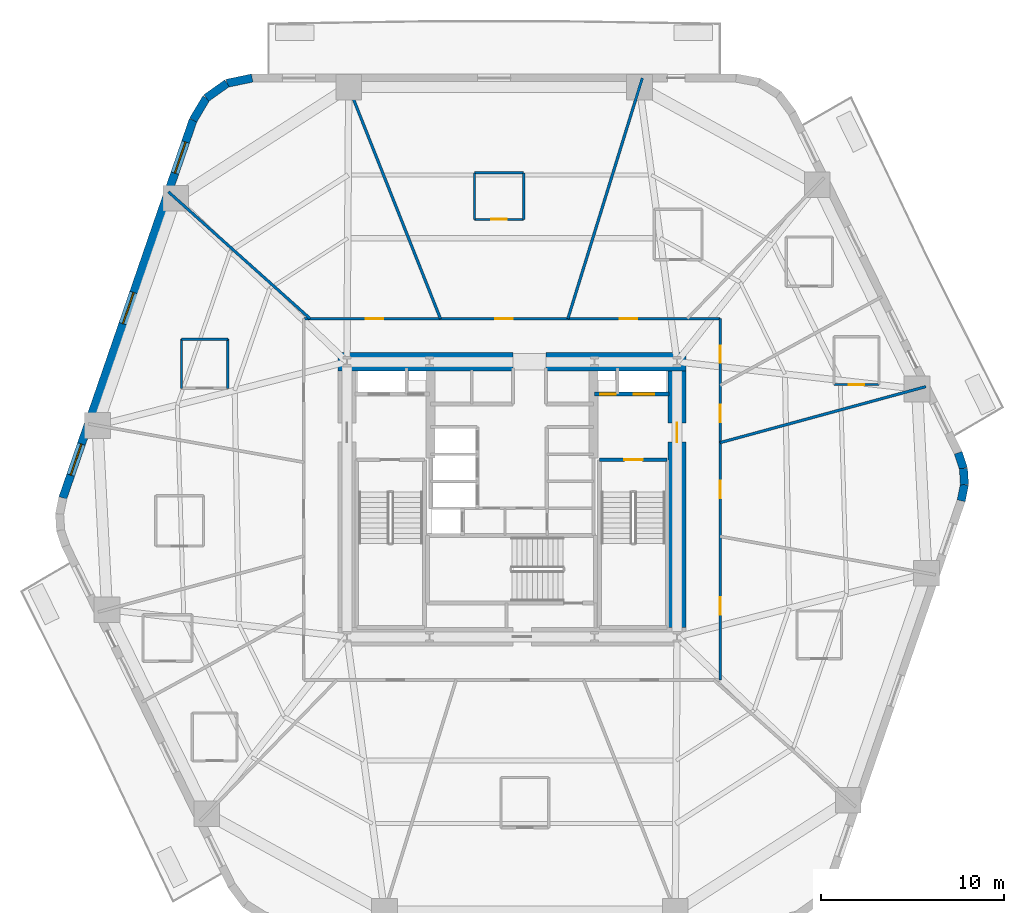
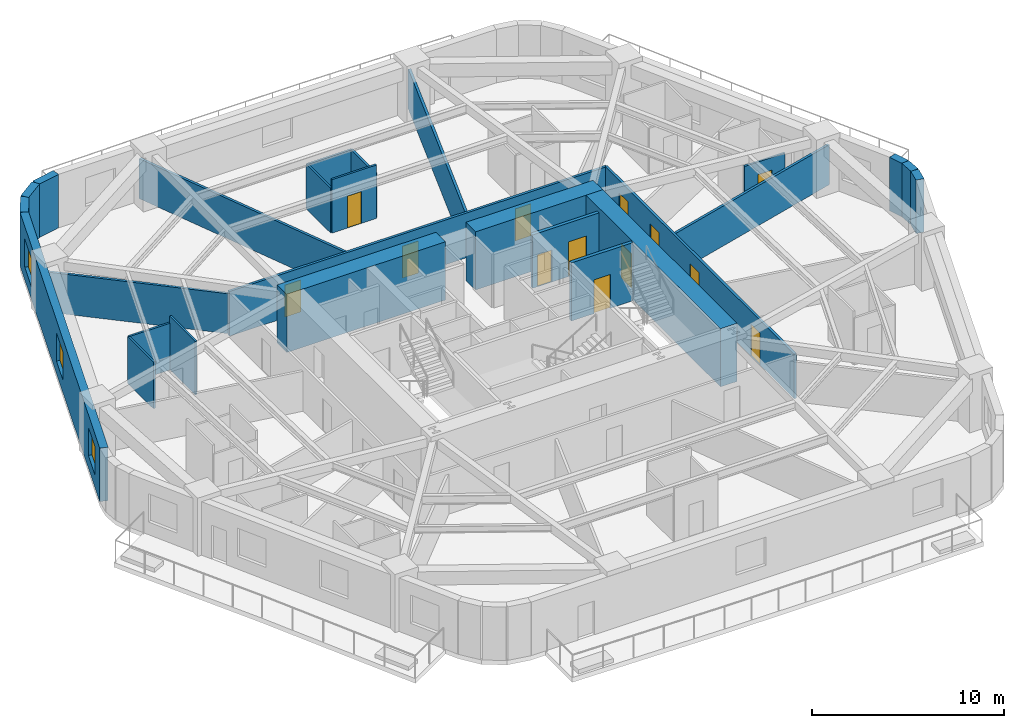
# One storey, part 5 of 10: 26 walls, 13 doors, 3 windows, 16 openings.
"""IFC4 building model written with IfcOpenShell, lengths in metres."""

from ifc_helpers import new_model, si_unit, direction, frame, frame_2d, origin, place, context, subcontext, project, spatial, rectangle, extrude, material, layer, layer_set, type_object, element, fill, save


model = new_model("IFC4")

# Units and contexts
model_context = context("Model", 3, precision=1e-05, world=origin(), true_north=direction((0.0, 1.0)))
body_context = subcontext(model_context, "Body", "Model", "MODEL_VIEW")
ifc_project = project(units=[si_unit("LENGTHUNIT", "METRE"), si_unit("AREAUNIT", "SQUARE_METRE"), si_unit("VOLUMEUNIT", "CUBIC_METRE"), si_unit("PLANEANGLEUNIT", "RADIAN"), si_unit("MASSUNIT", "GRAM", prefix="KILO")], contexts=[model_context])

# Site, building, storey
site_placement = place(None, origin())
site = spatial("IfcSite", under=ifc_project, at=site_placement, CompositionType="ELEMENT")
building_placement = place(site_placement, origin())
building = spatial("IfcBuilding", under=site, at=building_placement, Name="Kilnhurst Terrace Hotel", CompositionType="ELEMENT")
storey_placement = place(building_placement, frame((0.0, 0.0, 56.39990234375)))
storey = spatial("IfcBuildingStorey", under=building, at=storey_placement, Name="L12", CompositionType="ELEMENT", Elevation=56.39990234375)

# Walls
ifc_material_1 = material(Name="Precast concrete C40/50", Category="concrete")
ifc_layer_1 = layer(ifc_material_1, 0.449951171875, Name="Precast concrete C40/50")
ifc_layer_set_1 = layer_set([ifc_layer_1], Name="Precast concrete C40/50")
wall_type_1 = type_object("IfcWallType", Name="WL-BRK-450", PredefinedType="SOLIDWALL", material=ifc_layer_set_1)
wall_1_placement = place(storey_placement, frame((24.49560546875, -0.07666015625, 0.0), z_axis=(0.0, 0.0, 1.0), x_axis=(0.199570594521, 0.979883451132, 0.0)))
element("IfcWall", 1, at=wall_1_placement, inside=storey, type_object=wall_type_1, Name="L12 Rounded Corner Brick Wall C3.1", PredefinedType="SOLIDWALL", context=body_context, shape_type="SweptSolid", body=[
    extrude(rectangle(XDim=0.896728515625, YDim=0.449951171875, at=frame_2d((0.4482421875, 0.0))), origin(), (0.0, 0.0, 1.0), 3.400146484375),
])
wall_2_placement = place(storey_placement, frame((24.674560546875, 0.802001953125, 0.0), z_axis=(0.0, 0.0, 1.0), x_axis=(-0.061188874166, 0.998126205286, 0.0)))
element("IfcWall", 2, at=wall_2_placement, inside=storey, type_object=wall_type_1, Name="L12 Rounded Corner Brick Wall C3.2", PredefinedType="SOLIDWALL", context=body_context, shape_type="SweptSolid", body=[
    extrude(rectangle(XDim=0.8818359375, YDim=0.449951171875, at=frame_2d((0.44091796875, 0.0))), origin(), (0.0, 0.0, 1.0), 3.400146484375),
])
wall_3_placement = place(storey_placement, frame((24.62060546875, 1.68212890625, 0.0), z_axis=(0.0, 0.0, 1.0), x_axis=(-0.317697451681, 0.948192137278, 0.0)))
element("IfcWall", 3, at=wall_3_placement, inside=storey, type_object=wall_type_1, Name="L12 Rounded Corner Brick Wall C3.3", PredefinedType="SOLIDWALL", context=body_context, shape_type="SweptSolid", body=[
    extrude(rectangle(XDim=0.896728515625, YDim=0.449951171875, at=frame_2d((0.4482421875, 0.0))), origin(), (0.0, 0.0, 1.0), 3.400146484375),
])
wall_4_placement = place(storey_placement, frame((-14.168212890625, 22.97509765625, 0.0), z_axis=(0.0, 0.0, 1.0), x_axis=(-0.978770371074, -0.204959900243, 0.0)))
element("IfcWall", 4, at=wall_4_placement, inside=storey, type_object=wall_type_1, Name="L12 Rounded Corner Brick Wall C5.1", PredefinedType="SOLIDWALL", context=body_context, shape_type="SweptSolid", body=[
    extrude(rectangle(XDim=1.405517578125, YDim=0.449951171875, at=frame_2d((0.70263671875, 0.0))), origin(), (0.0, 0.0, 1.0), 3.400146484375),
])
wall_5_placement = place(storey_placement, frame((-15.5439453125, 22.68701171875, 0.0), z_axis=(0.0, 0.0, 1.0), x_axis=(-0.814210854316, -0.580569276412, 0.0)))
element("IfcWall", 5, at=wall_5_placement, inside=storey, type_object=wall_type_1, Name="L12 Rounded Corner Brick Wall C5.2", PredefinedType="SOLIDWALL", context=body_context, shape_type="SweptSolid", body=[
    extrude(rectangle(XDim=1.38134765625, YDim=0.449951171875, at=frame_2d((0.690673828125, 0.0))), origin(), (0.0, 0.0, 1.0), 3.400146484375),
])
wall_6_placement = place(storey_placement, frame((-16.668701171875, 21.885009765625, 0.0), z_axis=(0.0, 0.0, 1.0), x_axis=(-0.512936712947, -0.858426425799, 0.0)))
element("IfcWall", 6, at=wall_6_placement, inside=storey, type_object=wall_type_1, Name="L12 Rounded Corner Brick Wall C5.3", PredefinedType="SOLIDWALL", context=body_context, shape_type="SweptSolid", body=[
    extrude(rectangle(XDim=1.405517578125, YDim=0.449951171875, at=frame_2d((0.70263671875, 0.0))), origin(), (0.0, 0.0, 1.0), 3.400146484375),
])

# Wall, openings, windows
wall_7_placement = place(storey_placement, frame((-17.3896484375, 20.678466796875, 0.0), z_axis=(0.0, 0.0, 1.0), x_axis=(-0.326068018294, -0.945346310854, 0.0)))
wall_7 = element("IfcWall", 7, at=wall_7_placement, inside=storey, type_object=wall_type_1, Name="L12 Exterior Brick Facade Wall F5", PredefinedType="SOLIDWALL", context=body_context, shape_type="SweptSolid", body=[
    extrude(rectangle(XDim=21.79296875, YDim=0.449951171875, at=frame_2d((10.896484375, 0.0))), origin(), (0.0, 0.0, 1.0), 3.400146484375),
])
opening_1_placement = place(wall_7_placement, frame((1.260009765625, 0.0, 0.800048828125)))
opening_1 = element("IfcOpeningElement", 8, at=opening_1_placement, cuts=wall_7, Name="Opening W-01", PredefinedType="OPENING", context=body_context, shape_type="SweptSolid", body=[
    extrude(rectangle(XDim=1.800048828125, YDim=1.800048828125, at=frame_2d((0.89990234375, 0.89990234375))), frame((0.0, 0.23486328125, 0.0), z_axis=(0.0, -1.0, 0.0), x_axis=(1.0, 0.0, 0.0)), (0.0, 0.0, 1.0), 0.469970703125),
])
opening_2_placement = place(wall_7_placement, frame((9.943115234375, 0.0, 0.800048828125)))
opening_2 = element("IfcOpeningElement", 9, at=opening_2_placement, cuts=wall_7, Name="Opening W-01", PredefinedType="OPENING", context=body_context, shape_type="SweptSolid", body=[
    extrude(rectangle(XDim=1.800048828125, YDim=1.800048828125, at=frame_2d((0.89990234375, 0.89990234375))), frame((0.0, 0.23486328125, 0.0), z_axis=(0.0, -1.0, 0.0), x_axis=(1.0, 0.0, 0.0)), (0.0, 0.0, 1.0), 0.469970703125),
])
opening_3_placement = place(wall_7_placement, frame((18.679931640625, 0.0, 0.800048828125)))
opening_3 = element("IfcOpeningElement", 10, at=opening_3_placement, cuts=wall_7, Name="Opening W-01", PredefinedType="OPENING", context=body_context, shape_type="SweptSolid", body=[
    extrude(rectangle(XDim=1.800048828125, YDim=1.800048828125, at=frame_2d((0.89990234375, 0.89990234375))), frame((0.0, 0.23486328125, 0.0), z_axis=(0.0, -1.0, 0.0), x_axis=(1.0, 0.0, 0.0)), (0.0, 0.0, 1.0), 0.469970703125),
])
ifc_material_2 = material(Name="Thermally Broken Bronze Aluminium Alloy 6063-T6 and Low-E Glass", Category="aluminium")
window_type = type_object("IfcWindowType", Name="WIN-1800X1800", PartitioningType="SINGLE_PANEL", PredefinedType="WINDOW", material=ifc_material_2)
window_1_placement = place(opening_1_placement, origin())
window_1 = element("IfcWindow", 11, at=window_1_placement, inside=storey, type_object=window_type, Name="L12 Deep-Set Masonry Window F5.1", OverallHeight=1.800048828125, OverallWidth=1.800048828125, PartitioningType="SINGLE_PANEL", PredefinedType="WINDOW", context=body_context, shape_type="SweptSolid", body=[
    extrude(rectangle(XDim=1.800048828125, YDim=1.800048828125, at=frame_2d((0.89990234375, 0.89990234375))), frame((0.0, 0.030029296875, 0.0), z_axis=(0.0, -1.0, 0.0), x_axis=(1.0, 0.0, 0.0)), (0.0, 0.0, 1.0), 0.06005859375),
])
fill(opening_1, window_1)
window_2_placement = place(opening_2_placement, origin())
window_2 = element("IfcWindow", 12, at=window_2_placement, inside=storey, type_object=window_type, Name="L12 Deep-Set Masonry Window F5.2", OverallHeight=1.800048828125, OverallWidth=1.800048828125, PartitioningType="SINGLE_PANEL", PredefinedType="WINDOW", context=body_context, shape_type="SweptSolid", body=[
    extrude(rectangle(XDim=1.800048828125, YDim=1.800048828125, at=frame_2d((0.89990234375, 0.89990234375))), frame((0.0, 0.030029296875, 0.0), z_axis=(0.0, -1.0, 0.0), x_axis=(1.0, 0.0, 0.0)), (0.0, 0.0, 1.0), 0.06005859375),
])
fill(opening_2, window_2)
window_3_placement = place(opening_3_placement, origin())
window_3 = element("IfcWindow", 13, at=window_3_placement, inside=storey, type_object=window_type, Name="L12 Deep-Set Masonry Window F5.3", OverallHeight=1.800048828125, OverallWidth=1.800048828125, PartitioningType="SINGLE_PANEL", PredefinedType="WINDOW", context=body_context, shape_type="SweptSolid", body=[
    extrude(rectangle(XDim=1.800048828125, YDim=1.800048828125, at=frame_2d((0.89990234375, 0.89990234375))), frame((0.0, 0.030029296875, 0.0), z_axis=(0.0, -1.0, 0.0), x_axis=(1.0, 0.0, 0.0)), (0.0, 0.0, 1.0), 0.06005859375),
])
fill(opening_3, window_3)

# Wall, openings, doors
ifc_material_3 = material(Name="Acoustic Double-Gypsum Corridor Partition Assembly")
ifc_layer_2 = layer(ifc_material_3, 0.14990234375, Name="Acoustic Double-Gypsum Corridor Partition Assembly")
ifc_layer_set_2 = layer_set([ifc_layer_2], Name="Acoustic Double-Gypsum Corridor Partition Assembly")
wall_type_2 = type_object("IfcWallType", Name="WL-COR-150", PredefinedType="PARTITIONING", material=ifc_layer_set_2)
wall_8_placement = place(storey_placement, frame((-11.35009765625, 9.85009765625, 0.0), z_axis=(0.0, 0.0, 1.0), x_axis=(1.0, 0.0, 0.0)))
wall_8 = element("IfcWall", 14, at=wall_8_placement, inside=storey, type_object=wall_type_2, Name="L12 Interior Wall WL-L12-COR-02", PredefinedType="PARTITIONING", context=body_context, shape_type="SweptSolid", body=[
    extrude(rectangle(XDim=22.7001953125, YDim=0.14990234375, at=frame_2d((11.35009765625, 0.0))), origin(), (0.0, 0.0, 1.0), 2.840087890625),
])
opening_4_placement = place(wall_8_placement, frame((17.22509765625, 0.0, 0.0)))
opening_4 = element("IfcOpeningElement", 15, at=opening_4_placement, cuts=wall_8, Name="Opening D-60B", PredefinedType="OPENING", context=body_context, shape_type="SweptSolid", body=[
    extrude(rectangle(XDim=0.949951171875, YDim=2.030029296875, at=frame_2d((0.47509765625, 1.01513671875))), frame((0.0, 0.0849609375, 0.0), z_axis=(0.0, -1.0, 0.0), x_axis=(1.0, 0.0, 0.0)), (0.0, 0.0, 1.0), 0.169921875),
])
opening_5_placement = place(wall_8_placement, frame((10.444091796875, 0.0, 0.0)))
opening_5 = element("IfcOpeningElement", 16, at=opening_5_placement, cuts=wall_8, Name="Opening D-60B", PredefinedType="OPENING", context=body_context, shape_type="SweptSolid", body=[
    extrude(rectangle(XDim=0.949951171875, YDim=2.030029296875, at=frame_2d((0.47509765625, 1.01513671875))), frame((0.0, 0.0849609375, 0.0), z_axis=(0.0, -1.0, 0.0), x_axis=(1.0, 0.0, 0.0)), (0.0, 0.0, 1.0), 0.169921875),
])
opening_6_placement = place(wall_8_placement, frame((3.368896484375, 0.0, 0.0)))
opening_6 = element("IfcOpeningElement", 17, at=opening_6_placement, cuts=wall_8, Name="Opening D-60B", PredefinedType="OPENING", context=body_context, shape_type="SweptSolid", body=[
    extrude(rectangle(XDim=0.949951171875, YDim=2.030029296875, at=frame_2d((0.47509765625, 1.01513671875))), frame((0.0, 0.0849609375, 0.0), z_axis=(0.0, -1.0, 0.0), x_axis=(1.0, 0.0, 0.0)), (0.0, 0.0, 1.0), 0.169921875),
])
ifc_material_4 = material(Name="Acoustic Walnut Veneer Solid-Core Fire Door")
door_type_1 = type_object("IfcDoorType", Name="DR-FD60-950", OperationType="NOTDEFINED", PredefinedType="DOOR", material=ifc_material_4)
door_1_placement = place(opening_4_placement, origin())
door_1 = element("IfcDoor", 18, at=door_1_placement, inside=storey, type_object=door_type_1, Name="L12 Executive Suite Entry Door 3", OperationType="SINGLE_SWING_LEFT", OverallHeight=2.030029296875, OverallWidth=0.949951171875, PredefinedType="DOOR", context=body_context, shape_type="SweptSolid", body=[
    extrude(rectangle(XDim=0.949951171875, YDim=2.030029296875, at=frame_2d((0.47509765625, 1.01513671875))), frame((0.0, 0.02490234375, 0.0), z_axis=(0.0, -1.0, 0.0), x_axis=(1.0, 0.0, 0.0)), (0.0, 0.0, 1.0), 0.050048828125),
])
fill(opening_4, door_1)
door_2_placement = place(opening_5_placement, origin())
door_2 = element("IfcDoor", 19, at=door_2_placement, inside=storey, type_object=door_type_1, Name="L12 Executive Suite Entry Door 4", OperationType="SINGLE_SWING_RIGHT", OverallHeight=2.030029296875, OverallWidth=0.949951171875, PredefinedType="DOOR", context=body_context, shape_type="SweptSolid", body=[
    extrude(rectangle(XDim=0.949951171875, YDim=2.030029296875, at=frame_2d((0.47509765625, 1.01513671875))), frame((0.0, 0.02490234375, 0.0), z_axis=(0.0, -1.0, 0.0), x_axis=(1.0, 0.0, 0.0)), (0.0, 0.0, 1.0), 0.050048828125),
])
fill(opening_5, door_2)
door_3_placement = place(opening_6_placement, origin())
door_3 = element("IfcDoor", 20, at=door_3_placement, inside=storey, type_object=door_type_1, Name="L12 Fitness Studio Door", OperationType="SINGLE_SWING_LEFT", OverallHeight=2.030029296875, OverallWidth=0.949951171875, PredefinedType="DOOR", context=body_context, shape_type="SweptSolid", body=[
    extrude(rectangle(XDim=0.949951171875, YDim=2.030029296875, at=frame_2d((0.47509765625, 1.01513671875))), frame((0.0, 0.02490234375, 0.0), z_axis=(0.0, -1.0, 0.0), x_axis=(1.0, 0.0, 0.0)), (0.0, 0.0, 1.0), 0.050048828125),
])
fill(opening_6, door_3)

wall_9_placement = place(storey_placement, frame((11.35009765625, 9.85009765625, 0.0), z_axis=(0.0, 0.0, 1.0), x_axis=(0.0, -1.0, 0.0)))
wall_9 = element("IfcWall", 21, at=wall_9_placement, inside=storey, type_object=wall_type_2, Name="L12 Interior Wall WL-L12-COR-03", PredefinedType="PARTITIONING", context=body_context, shape_type="SweptSolid", body=[
    extrude(rectangle(XDim=19.7001953125, YDim=0.14990234375, at=frame_2d((9.85009765625, 0.0))), origin(), (0.0, 0.0, 1.0), 2.840087890625),
])
opening_7_placement = place(wall_9_placement, frame((4.7041015625, 0.0, 0.0)))
opening_7 = element("IfcOpeningElement", 22, at=opening_7_placement, cuts=wall_9, Name="Opening D-60B", PredefinedType="OPENING", context=body_context, shape_type="SweptSolid", body=[
    extrude(rectangle(XDim=0.949951171875, YDim=2.030029296875, at=frame_2d((0.47509765625, 1.01513671875))), frame((0.0, 0.0849609375, 0.0), z_axis=(0.0, -1.0, 0.0), x_axis=(1.0, 0.0, 0.0)), (0.0, 0.0, 1.0), 0.169921875),
])
opening_8_placement = place(wall_9_placement, frame((1.4619140625, 0.0, 0.0)))
opening_8 = element("IfcOpeningElement", 23, at=opening_8_placement, cuts=wall_9, Name="Opening D-60B", PredefinedType="OPENING", context=body_context, shape_type="SweptSolid", body=[
    extrude(rectangle(XDim=0.949951171875, YDim=2.030029296875, at=frame_2d((0.47509765625, 1.01513671875))), frame((0.0, 0.0849609375, 0.0), z_axis=(0.0, -1.0, 0.0), x_axis=(1.0, 0.0, 0.0)), (0.0, 0.0, 1.0), 0.169921875),
])
opening_9_placement = place(wall_9_placement, frame((15.19091796875, 0.0, 0.0)))
opening_9 = element("IfcOpeningElement", 24, at=opening_9_placement, cuts=wall_9, Name="Opening D-60B", PredefinedType="OPENING", context=body_context, shape_type="SweptSolid", body=[
    extrude(rectangle(XDim=0.949951171875, YDim=2.030029296875, at=frame_2d((0.47509765625, 1.01513671875))), frame((0.0, 0.0849609375, 0.0), z_axis=(0.0, -1.0, 0.0), x_axis=(1.0, 0.0, 0.0)), (0.0, 0.0, 1.0), 0.169921875),
])
opening_10_placement = place(wall_9_placement, frame((8.837890625, 0.0, 0.0)))
opening_10 = element("IfcOpeningElement", 25, at=opening_10_placement, cuts=wall_9, Name="Opening D-60B", PredefinedType="OPENING", context=body_context, shape_type="SweptSolid", body=[
    extrude(rectangle(XDim=0.949951171875, YDim=2.030029296875, at=frame_2d((0.47509765625, 1.01513671875))), frame((0.0, 0.0849609375, 0.0), z_axis=(0.0, -1.0, 0.0), x_axis=(1.0, 0.0, 0.0)), (0.0, 0.0, 1.0), 0.169921875),
])
door_4_placement = place(opening_7_placement, origin())
door_4 = element("IfcDoor", 26, at=door_4_placement, inside=storey, type_object=door_type_1, Name="L12 Guest Room Entry Door 1", OperationType="SINGLE_SWING_LEFT", OverallHeight=2.030029296875, OverallWidth=0.949951171875, PredefinedType="DOOR", context=body_context, shape_type="SweptSolid", body=[
    extrude(rectangle(XDim=0.949951171875, YDim=2.030029296875, at=frame_2d((0.47509765625, 1.01513671875))), frame((0.0, 0.02490234375, 0.0), z_axis=(0.0, -1.0, 0.0), x_axis=(1.0, 0.0, 0.0)), (0.0, 0.0, 1.0), 0.050048828125),
])
fill(opening_7, door_4)
door_5_placement = place(opening_8_placement, origin())
door_5 = element("IfcDoor", 27, at=door_5_placement, inside=storey, type_object=door_type_1, Name="L12 Guest Room Entry Door 2", OperationType="SINGLE_SWING_RIGHT", OverallHeight=2.030029296875, OverallWidth=0.949951171875, PredefinedType="DOOR", context=body_context, shape_type="SweptSolid", body=[
    extrude(rectangle(XDim=0.949951171875, YDim=2.030029296875, at=frame_2d((0.47509765625, 1.01513671875))), frame((0.0, 0.02490234375, 0.0), z_axis=(0.0, -1.0, 0.0), x_axis=(1.0, 0.0, 0.0)), (0.0, 0.0, 1.0), 0.050048828125),
])
fill(opening_8, door_5)
door_6_placement = place(opening_9_placement, origin())
door_6 = element("IfcDoor", 28, at=door_6_placement, inside=storey, type_object=door_type_1, Name="L12 Executive Suite Entry Door 13", OperationType="SINGLE_SWING_LEFT", OverallHeight=2.030029296875, OverallWidth=0.949951171875, PredefinedType="DOOR", context=body_context, shape_type="SweptSolid", body=[
    extrude(rectangle(XDim=0.949951171875, YDim=2.030029296875, at=frame_2d((0.47509765625, 1.01513671875))), frame((0.0, 0.02490234375, 0.0), z_axis=(0.0, -1.0, 0.0), x_axis=(1.0, 0.0, 0.0)), (0.0, 0.0, 1.0), 0.050048828125),
])
fill(opening_9, door_6)
door_7_placement = place(opening_10_placement, origin())
door_7 = element("IfcDoor", 29, at=door_7_placement, inside=storey, type_object=door_type_1, Name="L12 Club Tea Lounge Door", OperationType="SINGLE_SWING_RIGHT", OverallHeight=2.030029296875, OverallWidth=0.949951171875, PredefinedType="DOOR", context=body_context, shape_type="SweptSolid", body=[
    extrude(rectangle(XDim=0.949951171875, YDim=2.030029296875, at=frame_2d((0.47509765625, 1.01513671875))), frame((0.0, 0.02490234375, 0.0), z_axis=(0.0, -1.0, 0.0), x_axis=(1.0, 0.0, 0.0)), (0.0, 0.0, 1.0), 0.050048828125),
])
fill(opening_10, door_7)

# Walls
ifc_material_5 = material(Name="Concrete C80/95", Category="concrete")
ifc_layer_3 = layer(ifc_material_5, 1.0, Name="Concrete C80/95")
ifc_layer_set_3 = layer_set([ifc_layer_3], Name="Concrete C80/95")
wall_type_3 = type_object("IfcWallType", Name="WL-CORE-1000", PredefinedType="SHEAR", material=ifc_layer_set_3)
wall_10_placement = place(storey_placement, frame((-9.5, 7.5, 0.0), z_axis=(0.0, 0.0, 1.0), x_axis=(1.0, 0.0, 0.0)))
element("IfcWall", 30, at=wall_10_placement, inside=storey, type_object=wall_type_3, Name="L12 Core North West Shear Wall", PredefinedType="SHEAR", context=body_context, shape_type="SweptSolid", body=[
    extrude(rectangle(XDim=9.550048828125, YDim=1.0, at=frame_2d((4.77490234375, 0.0))), origin(), (0.0, 0.0, 1.0), 3.7001953125),
])
wall_11_placement = place(storey_placement, frame((1.85009765625, 7.5, 0.0), z_axis=(0.0, 0.0, 1.0), x_axis=(1.0, 0.0, 0.0)))
element("IfcWall", 31, at=wall_11_placement, inside=storey, type_object=wall_type_3, Name="L12 Core North East Shear Wall", PredefinedType="SHEAR", context=body_context, shape_type="SweptSolid", body=[
    extrude(rectangle(XDim=7.64990234375, YDim=1.0, at=frame_2d((3.824951171875, 0.0))), origin(), (0.0, 0.0, 1.0), 3.7001953125),
])

# Wall, opening, door
wall_12_placement = place(storey_placement, frame((9.0, -7.0, 0.0), z_axis=(0.0, 0.0, 1.0), x_axis=(0.0, 1.0, 0.0)))
wall_12 = element("IfcWall", 32, at=wall_12_placement, inside=storey, type_object=wall_type_3, Name="L12 Core East Shear Wall", PredefinedType="SHEAR", context=body_context, shape_type="SweptSolid", body=[
    extrude(rectangle(XDim=14.0, YDim=1.0, at=frame_2d((7.0, 0.0))), origin(), (0.0, 0.0, 1.0), 3.7001953125),
])
opening_11_placement = place(wall_12_placement, frame((10.125, 0.0, 0.0)))
opening_11 = element("IfcOpeningElement", 33, at=opening_11_placement, cuts=wall_12, Name="Opening D-90A", PredefinedType="OPENING", context=body_context, shape_type="SweptSolid", body=[
    extrude(rectangle(XDim=1.050048828125, YDim=2.14990234375, at=frame_2d((0.52490234375, 1.074951171875))), frame((0.0, 0.510009765625, 0.0), z_axis=(0.0, -1.0, 0.0), x_axis=(1.0, 0.0, 0.0)), (0.0, 0.0, 1.0), 1.02001953125),
])
ifc_material_6 = material(Name="Painted Hollow Metal Steel ASTM A36 Fire Door", Category="steel")
door_type_2 = type_object("IfcDoorType", Name="DR-FD90-1050", OperationType="NOTDEFINED", PredefinedType="DOOR", material=ifc_material_6)
door_8_placement = place(opening_11_placement, origin())
door_8 = element("IfcDoor", 34, at=door_8_placement, inside=storey, type_object=door_type_2, Name="L12 East Firefighting Lobby Door", OperationType="SINGLE_SWING_LEFT", OverallHeight=2.14990234375, OverallWidth=1.050048828125, PredefinedType="DOOR", context=body_context, shape_type="SweptSolid", body=[
    extrude(rectangle(XDim=1.050048828125, YDim=2.14990234375, at=frame_2d((0.52490234375, 1.074951171875))), frame((0.0, 0.02490234375, 0.0), z_axis=(0.0, -1.0, 0.0), x_axis=(1.0, 0.0, 0.0)), (0.0, 0.0, 1.0), 0.050048828125),
])
fill(opening_11, door_8)

# Walls
ifc_material_7 = material(Name="STC-58 Acoustic Twin-Frame Guestroom Demising Partition")
ifc_layer_4 = layer(ifc_material_7, 0.14990234375, Name="STC-58 Acoustic Twin-Frame Guestroom Demising Partition")
ifc_layer_set_4 = layer_set([ifc_layer_4], Name="STC-58 Acoustic Twin-Frame Guestroom Demising Partition")
wall_type_4 = type_object("IfcWallType", Name="WL-DEM-150", PredefinedType="PARTITIONING", material=ifc_layer_set_4)
wall_13_placement = place(storey_placement, frame((11.35009765625, 3.0908203125, 0.0), z_axis=(0.0, 0.0, 1.0), x_axis=(0.964859685283, 0.262765651704, 0.0)))
element("IfcWall", 35, at=wall_13_placement, inside=storey, type_object=wall_type_4, Name="L12 Interior Wall WL-L12-DEM-COL01-01-1", PredefinedType="PARTITIONING", context=body_context, shape_type="SweptSolid", body=[
    extrude(rectangle(XDim=11.62890625, YDim=0.14990234375, at=frame_2d((5.814453125, 0.0))), origin(), (0.0, 0.0, 1.0), 2.5400390625),
])
wall_14_placement = place(storey_placement, frame((3.047607421875, 9.85009765625, 0.0), z_axis=(0.0, 0.0, 1.0), x_axis=(0.295553992761, 0.955326037206, 0.0)))
element("IfcWall", 36, at=wall_14_placement, inside=storey, type_object=wall_type_4, Name="L12 Interior Wall WL-L12-DEM-COL03-04-1", PredefinedType="PARTITIONING", context=body_context, shape_type="SweptSolid", body=[
    extrude(rectangle(XDim=13.73876953125, YDim=0.14990234375, at=frame_2d((6.869384765625, 0.0))), origin(), (0.0, 0.0, 1.0), 2.5400390625),
])
wall_15_placement = place(storey_placement, frame((-3.90185546875, 9.85009765625, 0.0), z_axis=(0.0, 0.0, 1.0), x_axis=(-0.36828765711, 0.929711891728, 0.0)))
element("IfcWall", 37, at=wall_15_placement, inside=storey, type_object=wall_type_4, Name="L12 Interior Wall WL-L12-DEM-COL04-05-1", PredefinedType="PARTITIONING", context=body_context, shape_type="SweptSolid", body=[
    extrude(rectangle(XDim=14.1171875, YDim=0.14990234375, at=frame_2d((7.05859375, 0.0))), origin(), (0.0, 0.0, 1.0), 2.5400390625),
])
wall_16_placement = place(storey_placement, frame((-11.006591796875, 9.85009765625, 0.0), z_axis=(0.0, 0.0, 1.0), x_axis=(-0.745177305978, 0.666866390407, 0.0)))
element("IfcWall", 38, at=wall_16_placement, inside=storey, type_object=wall_type_4, Name="L12 Interior Wall WL-L12-DEM-COL05-06-1", PredefinedType="PARTITIONING", context=body_context, shape_type="SweptSolid", body=[
    extrude(rectangle(XDim=10.375244140625, YDim=0.14990234375, at=frame_2d((5.1875, 0.0))), origin(), (0.0, 0.0, 1.0), 2.5400390625),
])

# Wall, opening, door
ifc_material_8 = material(Name="120 mm Moisture-Resistant Tile-Backed Bathroom Partition")
ifc_layer_5 = layer(ifc_material_8, 0.1201171875, Name="120 mm Moisture-Resistant Tile-Backed Bathroom Partition")
ifc_layer_set_5 = layer_set([ifc_layer_5], Name="120 mm Moisture-Resistant Tile-Backed Bathroom Partition")
wall_type_5 = type_object("IfcWallType", Name="WL-PART-120", PredefinedType="PARTITIONING", material=ifc_layer_set_5)
wall_17_placement = place(storey_placement, frame((17.56689453125, 6.258056640625, 0.0), z_axis=(0.0, 0.0, 1.0), x_axis=(1.0, 0.0, 0.0)))
wall_17 = element("IfcWall", 39, at=wall_17_placement, inside=storey, type_object=wall_type_5, Name="L12 Interior Wall WL-L12-BTH-01-1", PredefinedType="PARTITIONING", context=body_context, shape_type="SweptSolid", body=[
    extrude(rectangle(XDim=2.440185546875, YDim=0.1201171875, at=frame_2d((1.22021484375, 0.0))), origin(), (0.0, 0.0, 1.0), 2.840087890625),
])
opening_12_placement = place(wall_17_placement, frame((0.794921875, 0.0, 0.0)))
opening_12 = element("IfcOpeningElement", 40, at=opening_12_placement, cuts=wall_17, Name="Opening D-08A", PredefinedType="OPENING", context=body_context, shape_type="SweptSolid", body=[
    extrude(rectangle(XDim=0.85009765625, YDim=2.030029296875, at=frame_2d((0.425048828125, 1.01513671875))), frame((0.0, 0.070068359375, 0.0), z_axis=(0.0, -1.0, 0.0), x_axis=(1.0, 0.0, 0.0)), (0.0, 0.0, 1.0), 0.14013671875),
])
ifc_material_9 = material(Name="Moisture-Resistant Lacquered En-suite Bathroom Door")
door_type_3 = type_object("IfcDoorType", Name="DR-INT-850", OperationType="NOTDEFINED", PredefinedType="DOOR", material=ifc_material_9)
door_9_placement = place(opening_12_placement, origin())
door_9 = element("IfcDoor", 41, at=door_9_placement, inside=storey, type_object=door_type_3, Name="L12 En-suite Bathroom Door 1", OperationType="SINGLE_SWING_RIGHT", OverallHeight=2.030029296875, OverallWidth=0.85009765625, PredefinedType="DOOR", context=body_context, shape_type="SweptSolid", body=[
    extrude(rectangle(XDim=0.85009765625, YDim=2.030029296875, at=frame_2d((0.425048828125, 1.01513671875))), frame((0.0, 0.02490234375, 0.0), z_axis=(0.0, -1.0, 0.0), x_axis=(1.0, 0.0, 0.0)), (0.0, 0.0, 1.0), 0.050048828125),
])
fill(opening_12, door_9)

wall_18_placement = place(storey_placement, frame((-2.0419921875, 15.26708984375, 0.0), z_axis=(0.0, 0.0, 1.0), x_axis=(1.0, 0.0, 0.0)))
wall_18 = element("IfcWall", 42, at=wall_18_placement, inside=storey, type_object=wall_type_5, Name="L12 Interior Wall WL-L12-BTH-04-1", PredefinedType="PARTITIONING", context=body_context, shape_type="SweptSolid", body=[
    extrude(rectangle(XDim=2.679931640625, YDim=0.1201171875, at=frame_2d((1.33984375, 0.0))), origin(), (0.0, 0.0, 1.0), 3.400146484375),
])
opening_13_placement = place(wall_18_placement, frame((0.9150390625, 0.0, 0.0)))
opening_13 = element("IfcOpeningElement", 43, at=opening_13_placement, cuts=wall_18, Name="Opening D-08A", PredefinedType="OPENING", context=body_context, shape_type="SweptSolid", body=[
    extrude(rectangle(XDim=0.85009765625, YDim=2.030029296875, at=frame_2d((0.425048828125, 1.01513671875))), frame((0.0, 0.070068359375, 0.0), z_axis=(0.0, -1.0, 0.0), x_axis=(1.0, 0.0, 0.0)), (0.0, 0.0, 1.0), 0.14013671875),
])
door_10_placement = place(opening_13_placement, origin())
door_10 = element("IfcDoor", 44, at=door_10_placement, inside=storey, type_object=door_type_3, Name="L12 En-suite Bathroom Door 4", OperationType="SINGLE_SWING_LEFT", OverallHeight=2.030029296875, OverallWidth=0.85009765625, PredefinedType="DOOR", context=body_context, shape_type="SweptSolid", body=[
    extrude(rectangle(XDim=0.85009765625, YDim=2.030029296875, at=frame_2d((0.425048828125, 1.01513671875))), frame((0.0, 0.02490234375, 0.0), z_axis=(0.0, -1.0, 0.0), x_axis=(1.0, 0.0, 0.0)), (0.0, 0.0, 1.0), 0.050048828125),
])
fill(opening_13, door_10)

# Walls
wall_19_placement = place(storey_placement, frame((0.637939453125, 15.26708984375, 0.0), z_axis=(0.0, 0.0, 1.0), x_axis=(0.0, 1.0, 0.0)))
element("IfcWall", 45, at=wall_19_placement, inside=storey, type_object=wall_type_5, Name="L12 Interior Wall WL-L12-BTH-04-2", PredefinedType="PARTITIONING", context=body_context, shape_type="SweptSolid", body=[
    extrude(rectangle(XDim=2.539794921875, YDim=0.1201171875, at=frame_2d((1.27001953125, 0.0))), origin(), (0.0, 0.0, 1.0), 2.840576171875),
])
wall_20_placement = place(storey_placement, frame((0.637939453125, 17.806884765625, 0.0), z_axis=(0.0, 0.0, 1.0), x_axis=(-1.0, 0.0, 0.0)))
element("IfcWall", 46, at=wall_20_placement, inside=storey, type_object=wall_type_5, Name="L12 Interior Wall WL-L12-BTH-04-3", PredefinedType="PARTITIONING", context=body_context, shape_type="SweptSolid", body=[
    extrude(rectangle(XDim=2.679931640625, YDim=0.1201171875, at=frame_2d((1.33984375, 0.0))), origin(), (0.0, 0.0, 1.0), 2.840576171875),
])
wall_21_placement = place(storey_placement, frame((-2.0419921875, 17.806884765625, 0.0), z_axis=(0.0, 0.0, 1.0), x_axis=(0.0, -1.0, 0.0)))
element("IfcWall", 47, at=wall_21_placement, inside=storey, type_object=wall_type_5, Name="L12 Interior Wall WL-L12-BTH-04-4", PredefinedType="PARTITIONING", context=body_context, shape_type="SweptSolid", body=[
    extrude(rectangle(XDim=2.539794921875, YDim=0.1201171875, at=frame_2d((1.27001953125, 0.0))), origin(), (0.0, 0.0, 1.0), 2.840576171875),
])
wall_22_placement = place(storey_placement, frame((-15.49609375, 6.052978515625, 0.0), z_axis=(0.0, 0.0, 1.0), x_axis=(0.0, 1.0, 0.0)))
element("IfcWall", 48, at=wall_22_placement, inside=storey, type_object=wall_type_5, Name="L12 Interior Wall WL-L12-BTH-06-2", PredefinedType="PARTITIONING", context=body_context, shape_type="SweptSolid", body=[
    extrude(rectangle(XDim=2.679931640625, YDim=0.1201171875, at=frame_2d((1.33984375, 0.0))), origin(), (0.0, 0.0, 1.0), 3.400146484375),
])
wall_23_placement = place(storey_placement, frame((-15.49609375, 8.73291015625, 0.0), z_axis=(0.0, 0.0, 1.0), x_axis=(-1.0, 0.0, 0.0)))
element("IfcWall", 49, at=wall_23_placement, inside=storey, type_object=wall_type_5, Name="L12 Interior Wall WL-L12-BTH-06-3", PredefinedType="PARTITIONING", context=body_context, shape_type="SweptSolid", body=[
    extrude(rectangle(XDim=2.52001953125, YDim=0.1201171875, at=frame_2d((1.260009765625, 0.0))), origin(), (0.0, 0.0, 1.0), 2.972412109375),
])
wall_24_placement = place(storey_placement, frame((-18.01611328125, 8.73291015625, 0.0), z_axis=(0.0, 0.0, 1.0), x_axis=(0.0, -1.0, 0.0)))
element("IfcWall", 50, at=wall_24_placement, inside=storey, type_object=wall_type_5, Name="L12 Interior Wall WL-L12-BTH-06-4", PredefinedType="PARTITIONING", context=body_context, shape_type="SweptSolid", body=[
    extrude(rectangle(XDim=2.679931640625, YDim=0.1201171875, at=frame_2d((1.33984375, 0.0))), origin(), (0.0, 0.0, 1.0), 2.972412109375),
])

# Wall, openings, doors
ifc_material_10 = material(Name="Autoclaved Aerated Concrete C30/37 and Gypsum Shaft Assembly", Category="concrete")
ifc_layer_6 = layer(ifc_material_10, 0.199951171875, Name="Autoclaved Aerated Concrete C30/37 and Gypsum Shaft Assembly")
ifc_layer_set_6 = layer_set([ifc_layer_6], Name="Autoclaved Aerated Concrete C30/37 and Gypsum Shaft Assembly")
wall_type_6 = type_object("IfcWallType", Name="WL-SHAFT-200", PredefinedType="PARTITIONING", material=ifc_layer_set_6)
wall_25_placement = place(storey_placement, frame((4.5, 5.739990234375, 0.0), z_axis=(0.0, 0.0, 1.0), x_axis=(1.0, 0.0, 0.0)))
wall_25 = element("IfcWall", 51, at=wall_25_placement, inside=storey, type_object=wall_type_6, Name="L12 Interior Wall WL-L12-FSAE2-S", PredefinedType="PARTITIONING", context=body_context, shape_type="SweptSolid", body=[
    extrude(rectangle(XDim=4.050048828125, YDim=0.199951171875, at=frame_2d((2.02490234375, 0.0))), origin(), (0.0, 0.0, 1.0), 3.400146484375),
])
opening_14_placement = place(wall_25_placement, frame((0.300048828125, 0.0, 0.0)))
opening_14 = element("IfcOpeningElement", 52, at=opening_14_placement, cuts=wall_25, Name="Opening D-60D", PredefinedType="OPENING", context=body_context, shape_type="SweptSolid", body=[
    extrude(rectangle(XDim=0.85009765625, YDim=2.030029296875, at=frame_2d((0.425048828125, 1.01513671875))), frame((0.0, 0.10986328125, 0.0), z_axis=(0.0, -1.0, 0.0), x_axis=(1.0, 0.0, 0.0)), (0.0, 0.0, 1.0), 0.219970703125),
])
opening_15_placement = place(wall_25_placement, frame((2.14990234375, 0.0, 0.0)))
opening_15 = element("IfcOpeningElement", 53, at=opening_15_placement, cuts=wall_25, Name="Opening LD-F2", PredefinedType="OPENING", context=body_context, shape_type="SweptSolid", body=[
    extrude(rectangle(XDim=1.10009765625, YDim=2.199951171875, at=frame_2d((0.550048828125, 1.10009765625))), frame((0.0, 0.10986328125, 0.0), z_axis=(0.0, -1.0, 0.0), x_axis=(1.0, 0.0, 0.0)), (0.0, 0.0, 1.0), 0.219970703125),
])
ifc_material_11 = material(Name="Painted Hollow Metal Steel ASTM A36 Riser Door", Category="steel")
door_type_4 = type_object("IfcDoorType", Name="DR-FD60-850", OperationType="NOTDEFINED", PredefinedType="DOOR", material=ifc_material_11)
door_11_placement = place(opening_14_placement, origin())
door_11 = element("IfcDoor", 54, at=door_11_placement, inside=storey, type_object=door_type_4, Name="L12 Telecom Riser Door", OperationType="SINGLE_SWING_RIGHT", OverallHeight=2.030029296875, OverallWidth=0.85009765625, PredefinedType="DOOR", context=body_context, shape_type="SweptSolid", body=[
    extrude(rectangle(XDim=0.85009765625, YDim=2.030029296875, at=frame_2d((0.425048828125, 1.01513671875))), frame((0.0, 0.02490234375, 0.0), z_axis=(0.0, -1.0, 0.0), x_axis=(1.0, 0.0, 0.0)), (0.0, 0.0, 1.0), 0.050048828125),
])
fill(opening_14, door_11)
ifc_material_12 = material(Name="Bronze-Anodized Stainless Steel AISI 316L Sliding Door", Category="steel")
door_type_5 = type_object("IfcDoorType", Name="DR-LIFT-1100", OperationType="NOTDEFINED", PredefinedType="DOOR", material=ifc_material_12)
door_12_placement = place(opening_15_placement, origin())
door_12 = element("IfcDoor", 55, at=door_12_placement, inside=storey, type_object=door_type_5, Name="L12 FSAE-2 Landing Door", OperationType="SLIDING_TO_RIGHT", OverallHeight=2.199951171875, OverallWidth=1.10009765625, PredefinedType="DOOR", context=body_context, shape_type="SweptSolid", body=[
    extrude(rectangle(XDim=1.10009765625, YDim=2.199951171875, at=frame_2d((0.550048828125, 1.10009765625))), frame((0.0, 0.02490234375, 0.0), z_axis=(0.0, -1.0, 0.0), x_axis=(1.0, 0.0, 0.0)), (0.0, 0.0, 1.0), 0.050048828125),
])
fill(opening_15, door_12)

# Wall, opening, door
ifc_material_13 = material(Name="Concrete C50/60", Category="concrete")
ifc_layer_7 = layer(ifc_material_13, 0.199951171875, Name="Concrete C50/60")
ifc_layer_set_7 = layer_set([ifc_layer_7], Name="Concrete C50/60")
wall_type_7 = type_object("IfcWallType", Name="WL-STAIR-RC-200", PredefinedType="SHEAR", material=ifc_layer_set_7)
wall_26_placement = place(storey_placement, frame((4.77197265625, 2.157958984375, 0.0), z_axis=(0.0, 0.0, 1.0), x_axis=(1.0, 0.0, 0.0)))
wall_26 = element("IfcWall", 56, at=wall_26_placement, inside=storey, type_object=wall_type_7, Name="L12 Structural Stair Shaft Wall WL-L12-ST2-N", PredefinedType="SHEAR", context=body_context, shape_type="SweptSolid", body=[
    extrude(rectangle(XDim=3.68603515625, YDim=0.199951171875, at=frame_2d((1.843017578125, 0.0))), origin(), (0.0, 0.0, 1.0), 3.7001953125),
])
opening_16_placement = place(wall_26_placement, frame((1.35009765625, 0.0, 0.0)))
opening_16 = element("IfcOpeningElement", 57, at=opening_16_placement, cuts=wall_26, Name="Opening D-90B", PredefinedType="OPENING", context=body_context, shape_type="SweptSolid", body=[
    extrude(rectangle(XDim=1.0, YDim=2.14990234375, at=frame_2d((0.5, 1.074951171875))), frame((0.0, 0.10986328125, 0.0), z_axis=(0.0, -1.0, 0.0), x_axis=(1.0, 0.0, 0.0)), (0.0, 0.0, 1.0), 0.219970703125),
])
door_type_6 = type_object("IfcDoorType", Name="DR-FD90-1000", OperationType="NOTDEFINED", PredefinedType="DOOR", material=ifc_material_6)
door_13_placement = place(opening_16_placement, origin())
door_13 = element("IfcDoor", 58, at=door_13_placement, inside=storey, type_object=door_type_6, Name="L12 Stair ST-2 Door", OperationType="SINGLE_SWING_RIGHT", OverallHeight=2.14990234375, OverallWidth=1.0, PredefinedType="DOOR", context=body_context, shape_type="SweptSolid", body=[
    extrude(rectangle(XDim=1.0, YDim=2.14990234375, at=frame_2d((0.5, 1.074951171875))), frame((0.0, 0.02490234375, 0.0), z_axis=(0.0, -1.0, 0.0), x_axis=(1.0, 0.0, 0.0)), (0.0, 0.0, 1.0), 0.050048828125),
])
fill(opening_16, door_13)

save(model, "model.ifc")
